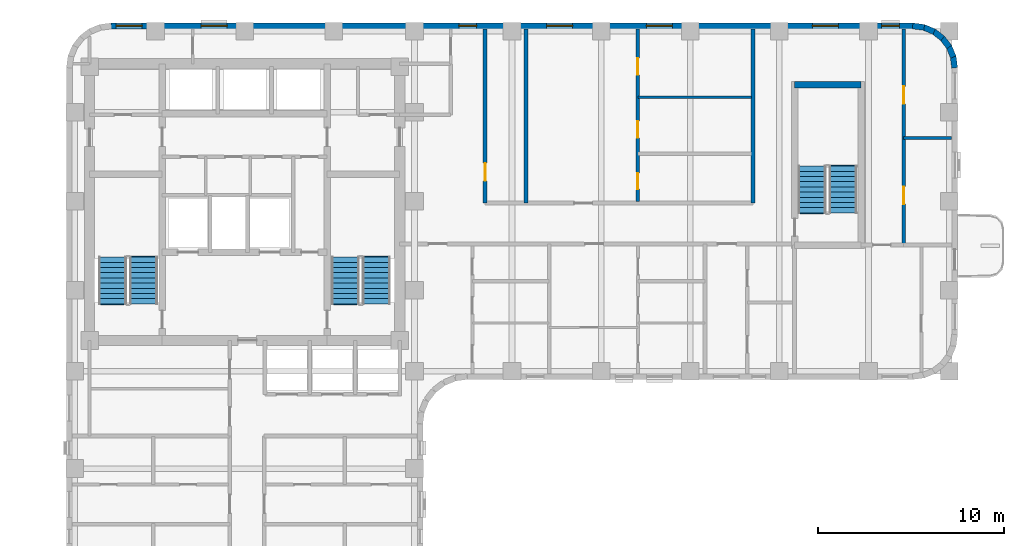
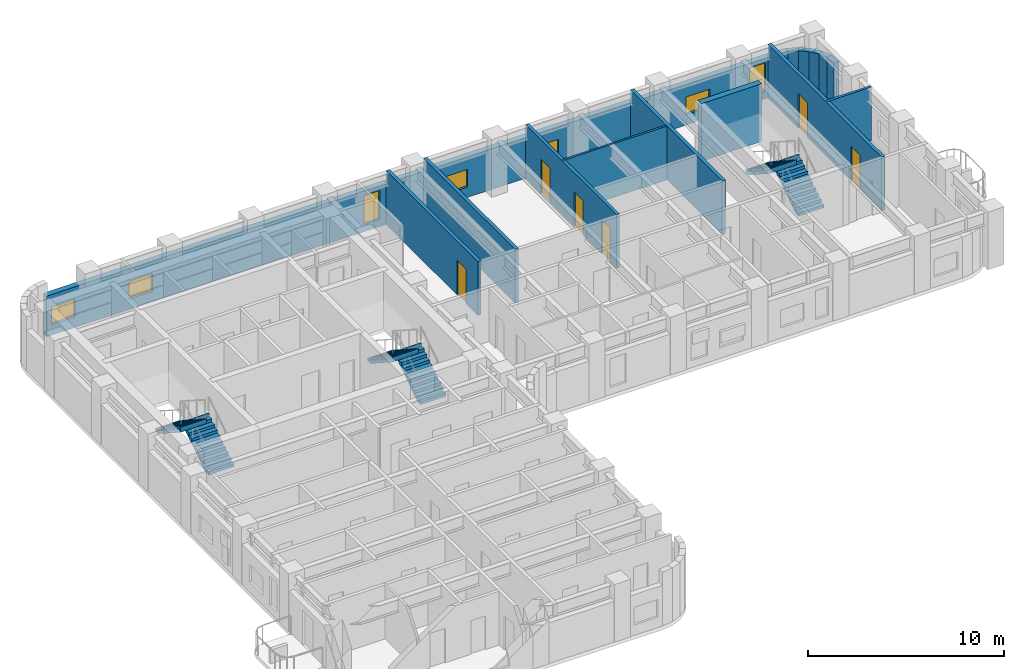
# One storey, part 7 of 10: 15 walls, 7 windows, 6 doors, 6 stair flights, 13 openings, 3 elements without a shape of their own.
"""IFC4 building model written with IfcOpenShell, lengths in metres."""

from ifc_helpers import new_model, si_unit, direction, frame, frame_2d, origin, place, context, subcontext, project, spatial, polyline, rectangle, outline, extrude, material, layer, layer_set, type_object, element, fill, aggregate, save


model = new_model("IFC4")

# Units and contexts
model_context = context("Model", 3, precision=1e-05, world=origin(), true_north=direction((0.0, 1.0)))
body_context = subcontext(model_context, "Body", "Model", "MODEL_VIEW")
ifc_project = project(units=[si_unit("LENGTHUNIT", "METRE"), si_unit("AREAUNIT", "SQUARE_METRE"), si_unit("VOLUMEUNIT", "CUBIC_METRE"), si_unit("PLANEANGLEUNIT", "RADIAN"), si_unit("MASSUNIT", "GRAM", prefix="KILO")], contexts=[model_context])

# Site, building, storey
site_placement = place(None, origin())
site = spatial("IfcSite", under=ifc_project, at=site_placement, CompositionType="ELEMENT")
building_placement = place(site_placement, origin())
building = spatial("IfcBuilding", under=site, at=building_placement, Name="Orvandelia Arch Residences", CompositionType="ELEMENT")
storey_placement = place(building_placement, frame((0.0, 0.0, 118.0)))
storey = spatial("IfcBuildingStorey", under=building, at=storey_placement, Name="L30", CompositionType="ELEMENT", Elevation=118.0)

# Wall
ifc_material_1 = material(Name="Concrete C50/60", Category="concrete")
ifc_layer_1 = layer(ifc_material_1, 0.35009765625, Name="Concrete C50/60", Category="concrete")
ifc_layer_set_1 = layer_set([ifc_layer_1], Name="Concrete C50/60")
wall_type_1 = type_object("IfcWallType", Name="WL-CORE-350", PredefinedType="SHEAR", material=ifc_layer_set_1)
wall_1_placement = place(storey_placement, frame((44.02001953125, 44.659912109375, 0.0), z_axis=(0.0, 0.0, 1.0), x_axis=(1.0, 0.0, 0.0)))
element("IfcWall", 1, at=wall_1_placement, inside=storey, type_object=wall_type_1, Name="East Stair Core Shear Wall L30-N", PredefinedType="SHEAR", context=body_context, shape_type="SweptSolid", body=[
    extrude(rectangle(XDim=3.580078125, YDim=0.35009765625, at=frame_2d((1.7900390625, 0.0))), origin(), (0.0, 0.0, 1.0), 3.60009765625),
])

# Wall, opening, door
ifc_material_2 = material(Name="Fire-Rated Corridor Partition")
ifc_layer_2 = layer(ifc_material_2, 0.199951171875, Name="Fire-Rated Corridor Partition")
ifc_layer_set_2 = layer_set([ifc_layer_2], Name="Fire-Rated Corridor Partition")
wall_type_2 = type_object("IfcWallType", Name="WL-CORR-200", PredefinedType="PARTITIONING", material=ifc_layer_set_2)
wall_2_placement = place(storey_placement, frame((27.35009765625, 38.300048828125, 0.0), z_axis=(0.0, 0.0, 1.0), x_axis=(0.0, 1.0, 0.0)))
wall_2 = element("IfcWall", 2, at=wall_2_placement, inside=storey, type_object=wall_type_2, Name="Interior Partition Wall WL-L30-EM-NCE", PredefinedType="PARTITIONING", context=body_context, shape_type="SweptSolid", body=[
    extrude(rectangle(XDim=9.3798828125, YDim=0.199951171875, at=frame_2d((4.68994140625, 0.0))), origin(), (0.0, 0.0, 1.0), 3.360107421875),
])
opening_1_placement = place(wall_2_placement, frame((1.199951171875, 0.0, 0.0)))
opening_1 = element("IfcOpeningElement", 3, at=opening_1_placement, cuts=wall_2, Name="Opening D2", PredefinedType="OPENING", context=body_context, shape_type="SweptSolid", body=[
    extrude(rectangle(XDim=0.949951171875, YDim=2.14990234375, at=frame_2d((0.47509765625, 1.074951171875))), frame((0.0, 0.10986328125, 0.0), z_axis=(0.0, -1.0, 0.0), x_axis=(1.0, 0.0, 0.0)), (0.0, 0.0, 1.0), 0.219970703125),
])
ifc_material_3 = material(Name="Solid-Core Timber Interior Fire Door", Category="wood")
door_type_1 = type_object("IfcDoorType", Name="DR-APT-950", OperationType="NOTDEFINED", PredefinedType="DOOR", material=ifc_material_3)
door_1_placement = place(opening_1_placement, origin())
door_1 = element("IfcDoor", 4, at=door_1_placement, inside=storey, type_object=door_type_1, Name="DR-L30-LDY", OperationType="SINGLE_SWING_RIGHT", OverallHeight=2.14990234375, OverallWidth=0.949951171875, PredefinedType="DOOR", context=body_context, shape_type="SweptSolid", body=[
    extrude(rectangle(XDim=0.949951171875, YDim=2.14990234375, at=frame_2d((0.47509765625, 1.074951171875))), frame((0.0, 0.02490234375, 0.0), z_axis=(0.0, -1.0, 0.0), x_axis=(1.0, 0.0, 0.0)), (0.0, 0.0, 1.0), 0.050048828125),
])
fill(opening_1, door_1)

# Wall
wall_3_placement = place(storey_placement, frame((41.780029296875, 38.300048828125, 0.0), z_axis=(0.0, 0.0, 1.0), x_axis=(0.0, 1.0, 0.0)))
element("IfcWall", 5, at=wall_3_placement, inside=storey, type_object=wall_type_2, Name="Interior Partition Wall WL-L30-ETV-W", PredefinedType="PARTITIONING", context=body_context, shape_type="SweptSolid", body=[
    extrude(rectangle(XDim=9.3798828125, YDim=0.199951171875, at=frame_2d((4.68994140625, 0.0))), origin(), (0.0, 0.0, 1.0), 3.360107421875),
])

# Wall, openings, doors
wall_4_placement = place(storey_placement, frame((49.89990234375, 36.0400390625, 0.0), z_axis=(0.0, 0.0, 1.0), x_axis=(0.0, 1.0, 0.0)))
wall_4 = element("IfcWall", 6, at=wall_4_placement, inside=storey, type_object=wall_type_2, Name="Interior Partition Wall WL-L30-ETE-E", PredefinedType="PARTITIONING", context=body_context, shape_type="SweptSolid", body=[
    extrude(rectangle(XDim=11.639892578125, YDim=0.199951171875, at=frame_2d((5.81982421875, 0.0))), origin(), (0.0, 0.0, 1.0), 3.360107421875),
])
opening_2_placement = place(wall_4_placement, frame((2.199951171875, 0.0, 0.0)))
opening_2 = element("IfcOpeningElement", 7, at=opening_2_placement, cuts=wall_4, Name="Opening D2", PredefinedType="OPENING", context=body_context, shape_type="SweptSolid", body=[
    extrude(rectangle(XDim=0.949951171875, YDim=2.14990234375, at=frame_2d((0.47509765625, 1.074951171875))), frame((0.0, 0.10986328125, 0.0), z_axis=(0.0, -1.0, 0.0), x_axis=(1.0, 0.0, 0.0)), (0.0, 0.0, 1.0), 0.219970703125),
])
opening_3_placement = place(wall_4_placement, frame((7.60009765625, 0.0, 0.0)))
opening_3 = element("IfcOpeningElement", 8, at=opening_3_placement, cuts=wall_4, Name="Opening D2", PredefinedType="OPENING", context=body_context, shape_type="SweptSolid", body=[
    extrude(rectangle(XDim=0.949951171875, YDim=2.14990234375, at=frame_2d((0.47509765625, 1.074951171875))), frame((0.0, 0.10986328125, 0.0), z_axis=(0.0, -1.0, 0.0), x_axis=(1.0, 0.0, 0.0)), (0.0, 0.0, 1.0), 0.219970703125),
])
door_2_placement = place(opening_2_placement, origin())
door_2 = element("IfcDoor", 9, at=door_2_placement, inside=storey, type_object=door_type_1, Name="DR-L30-EMTP1", OperationType="SINGLE_SWING_LEFT", OverallHeight=2.14990234375, OverallWidth=0.949951171875, PredefinedType="DOOR", context=body_context, shape_type="SweptSolid", body=[
    extrude(rectangle(XDim=0.949951171875, YDim=2.14990234375, at=frame_2d((0.47509765625, 1.074951171875))), frame((0.0, 0.02490234375, 0.0), z_axis=(0.0, -1.0, 0.0), x_axis=(1.0, 0.0, 0.0)), (0.0, 0.0, 1.0), 0.050048828125),
])
fill(opening_2, door_2)
door_3_placement = place(opening_3_placement, origin())
door_3 = element("IfcDoor", 10, at=door_3_placement, inside=storey, type_object=door_type_1, Name="DR-L30-EMTP2", OperationType="SINGLE_SWING_RIGHT", OverallHeight=2.14990234375, OverallWidth=0.949951171875, PredefinedType="DOOR", context=body_context, shape_type="SweptSolid", body=[
    extrude(rectangle(XDim=0.949951171875, YDim=2.14990234375, at=frame_2d((0.47509765625, 1.074951171875))), frame((0.0, 0.02490234375, 0.0), z_axis=(0.0, -1.0, 0.0), x_axis=(1.0, 0.0, 0.0)), (0.0, 0.0, 1.0), 0.050048828125),
])
fill(opening_3, door_3)

# Wall
ifc_material_4 = material(Name="Concrete C40/50", Category="concrete")
ifc_layer_3 = layer(ifc_material_4, 0.199951171875, Name="Concrete C40/50", Category="concrete")
ifc_layer_set_3 = layer_set([ifc_layer_3], Name="Concrete C40/50")
wall_type_3 = type_object("IfcWallType", Name="WL-DEM-200", PredefinedType="SOLIDWALL", material=ifc_layer_set_3)
wall_5_placement = place(storey_placement, frame((29.550048828125, 38.300048828125, 0.0), z_axis=(0.0, 0.0, 1.0), x_axis=(0.0, 1.0, 0.0)))
element("IfcWall", 11, at=wall_5_placement, inside=storey, type_object=wall_type_3, Name="Interior Partition Wall WL-L30-EM-LDE", PredefinedType="SOLIDWALL", context=body_context, shape_type="SweptSolid", body=[
    extrude(rectangle(XDim=9.3798828125, YDim=0.199951171875, at=frame_2d((4.68994140625, 0.0))), origin(), (0.0, 0.0, 1.0), 3.360107421875),
])

# Wall, openings, windows
ifc_material_5 = material(Name="Precast concrete C40/50", Category="concrete")
ifc_layer_4 = layer(ifc_material_5, 0.320068359375, Name="Precast concrete C40/50", Category="concrete")
ifc_layer_set_4 = layer_set([ifc_layer_4], Name="Precast concrete C40/50")
wall_type_4 = type_object("IfcWallType", Name="WL-EXT-STONE-320", PredefinedType="STANDARD", material=ifc_layer_set_4)
wall_6_placement = place(storey_placement, frame((7.199951171875, 47.840087890625, 0.0), z_axis=(0.0, 0.0, 1.0), x_axis=(1.0, 0.0, 0.0)))
wall_6 = element("IfcWall", 12, at=wall_6_placement, inside=storey, type_object=wall_type_4, Name="Coral-Limestone Precast Facade Wall L30-007", PredefinedType="STANDARD", context=body_context, shape_type="SweptSolid", body=[
    extrude(rectangle(XDim=43.199951171875, YDim=0.320068359375, at=frame_2d((21.60009765625, 0.0))), origin(), (0.0, 0.0, 1.0), 2.5400390625),
])
opening_4_placement = place(wall_6_placement, frame((28.841064453125, 0.0, 0.64990234375)))
opening_4 = element("IfcOpeningElement", 13, at=opening_4_placement, cuts=wall_6, Name="Opening W10", PredefinedType="OPENING", context=body_context, shape_type="SweptSolid", body=[
    extrude(rectangle(XDim=1.39990234375, YDim=1.10009765625, at=frame_2d((0.699951171875, 0.550048828125))), frame((0.0, 0.169921875, 0.0), z_axis=(0.0, -1.0, 0.0), x_axis=(1.0, 0.0, 0.0)), (0.0, 0.0, 1.0), 0.340087890625),
])
opening_5_placement = place(wall_6_placement, frame((18.739990234375, 0.0, 0.449951171875)))
opening_5 = element("IfcOpeningElement", 14, at=opening_5_placement, cuts=wall_6, Name="Opening W4", PredefinedType="OPENING", context=body_context, shape_type="SweptSolid", body=[
    extrude(rectangle(XDim=0.949951171875, YDim=1.800048828125, at=frame_2d((0.47509765625, 0.89990234375))), frame((0.0, 0.169921875, 0.0), z_axis=(0.0, -1.0, 0.0), x_axis=(1.0, 0.0, 0.0)), (0.0, 0.0, 1.0), 0.340087890625),
])
opening_6_placement = place(wall_6_placement, frame((41.512451171875, 0.0, 0.449951171875)))
opening_6 = element("IfcOpeningElement", 15, at=opening_6_placement, cuts=wall_6, Name="Opening W4", PredefinedType="OPENING", context=body_context, shape_type="SweptSolid", body=[
    extrude(rectangle(XDim=0.949951171875, YDim=1.800048828125, at=frame_2d((0.47509765625, 0.89990234375))), frame((0.0, 0.169921875, 0.0), z_axis=(0.0, -1.0, 0.0), x_axis=(1.0, 0.0, 0.0)), (0.0, 0.0, 1.0), 0.340087890625),
])
opening_7_placement = place(wall_6_placement, frame((37.7734375, 0.0, 0.64990234375)))
opening_7 = element("IfcOpeningElement", 16, at=opening_7_placement, cuts=wall_6, Name="Opening W10", PredefinedType="OPENING", context=body_context, shape_type="SweptSolid", body=[
    extrude(rectangle(XDim=1.39990234375, YDim=1.10009765625, at=frame_2d((0.699951171875, 0.550048828125))), frame((0.0, 0.169921875, 0.0), z_axis=(0.0, -1.0, 0.0), x_axis=(1.0, 0.0, 0.0)), (0.0, 0.0, 1.0), 0.340087890625),
])
opening_8_placement = place(wall_6_placement, frame((0.282470703125, 0.0, 0.64990234375)))
opening_8 = element("IfcOpeningElement", 17, at=opening_8_placement, cuts=wall_6, Name="Opening W10", PredefinedType="OPENING", context=body_context, shape_type="SweptSolid", body=[
    extrude(rectangle(XDim=1.39990234375, YDim=1.10009765625, at=frame_2d((0.699951171875, 0.550048828125))), frame((0.0, 0.169921875, 0.0), z_axis=(0.0, -1.0, 0.0), x_axis=(1.0, 0.0, 0.0)), (0.0, 0.0, 1.0), 0.340087890625),
])
opening_9_placement = place(wall_6_placement, frame((4.8525390625, 0.0, 0.64990234375)))
opening_9 = element("IfcOpeningElement", 18, at=opening_9_placement, cuts=wall_6, Name="Opening W10", PredefinedType="OPENING", context=body_context, shape_type="SweptSolid", body=[
    extrude(rectangle(XDim=1.39990234375, YDim=1.10009765625, at=frame_2d((0.699951171875, 0.550048828125))), frame((0.0, 0.169921875, 0.0), z_axis=(0.0, -1.0, 0.0), x_axis=(1.0, 0.0, 0.0)), (0.0, 0.0, 1.0), 0.340087890625),
])
opening_10_placement = place(wall_6_placement, frame((23.467529296875, 0.0, 0.64990234375)))
opening_10 = element("IfcOpeningElement", 19, at=opening_10_placement, cuts=wall_6, Name="Opening W10", PredefinedType="OPENING", context=body_context, shape_type="SweptSolid", body=[
    extrude(rectangle(XDim=1.39990234375, YDim=1.10009765625, at=frame_2d((0.699951171875, 0.550048828125))), frame((0.0, 0.169921875, 0.0), z_axis=(0.0, -1.0, 0.0), x_axis=(1.0, 0.0, 0.0)), (0.0, 0.0, 1.0), 0.340087890625),
])
ifc_material_6 = material(Name="Tempered Low-E Insulated Glazing", Category="glass")
window_type_1 = type_object("IfcWindowType", Name="WIN-CLR-1400x1100", PartitioningType="SINGLE_PANEL", PredefinedType="WINDOW", material=ifc_material_6)
window_1_placement = place(opening_4_placement, origin())
window_1 = element("IfcWindow", 20, at=window_1_placement, inside=storey, type_object=window_type_1, Name="Recessed Punched Window L30-001", OverallHeight=1.10009765625, OverallWidth=1.39990234375, PartitioningType="SINGLE_PANEL", PredefinedType="WINDOW", context=body_context, shape_type="SweptSolid", body=[
    extrude(rectangle(XDim=1.39990234375, YDim=1.10009765625, at=frame_2d((0.699951171875, 0.550048828125))), frame((0.0, 0.030029296875, 0.0), z_axis=(0.0, -1.0, 0.0), x_axis=(1.0, 0.0, 0.0)), (0.0, 0.0, 1.0), 0.06005859375),
])
fill(opening_4, window_1)
window_2_placement = place(opening_7_placement, origin())
window_2 = element("IfcWindow", 21, at=window_2_placement, inside=storey, type_object=window_type_1, Name="Recessed Punched Window L30-004", OverallHeight=1.10009765625, OverallWidth=1.39990234375, PartitioningType="SINGLE_PANEL", PredefinedType="WINDOW", context=body_context, shape_type="SweptSolid", body=[
    extrude(rectangle(XDim=1.39990234375, YDim=1.10009765625, at=frame_2d((0.699951171875, 0.550048828125))), frame((0.0, 0.030029296875, 0.0), z_axis=(0.0, -1.0, 0.0), x_axis=(1.0, 0.0, 0.0)), (0.0, 0.0, 1.0), 0.06005859375),
])
fill(opening_7, window_2)
window_3_placement = place(opening_8_placement, origin())
window_3 = element("IfcWindow", 22, at=window_3_placement, inside=storey, type_object=window_type_1, Name="Recessed Punched Window L30-005", OverallHeight=1.10009765625, OverallWidth=1.39990234375, PartitioningType="SINGLE_PANEL", PredefinedType="WINDOW", context=body_context, shape_type="SweptSolid", body=[
    extrude(rectangle(XDim=1.39990234375, YDim=1.10009765625, at=frame_2d((0.699951171875, 0.550048828125))), frame((0.0, 0.030029296875, 0.0), z_axis=(0.0, -1.0, 0.0), x_axis=(1.0, 0.0, 0.0)), (0.0, 0.0, 1.0), 0.06005859375),
])
fill(opening_8, window_3)
window_4_placement = place(opening_9_placement, origin())
window_4 = element("IfcWindow", 23, at=window_4_placement, inside=storey, type_object=window_type_1, Name="Recessed Punched Window L30-006", OverallHeight=1.10009765625, OverallWidth=1.39990234375, PartitioningType="SINGLE_PANEL", PredefinedType="WINDOW", context=body_context, shape_type="SweptSolid", body=[
    extrude(rectangle(XDim=1.39990234375, YDim=1.10009765625, at=frame_2d((0.699951171875, 0.550048828125))), frame((0.0, 0.030029296875, 0.0), z_axis=(0.0, -1.0, 0.0), x_axis=(1.0, 0.0, 0.0)), (0.0, 0.0, 1.0), 0.06005859375),
])
fill(opening_9, window_4)
window_5_placement = place(opening_10_placement, origin())
window_5 = element("IfcWindow", 24, at=window_5_placement, inside=storey, type_object=window_type_1, Name="Recessed Punched Window L30-007", OverallHeight=1.10009765625, OverallWidth=1.39990234375, PartitioningType="SINGLE_PANEL", PredefinedType="WINDOW", context=body_context, shape_type="SweptSolid", body=[
    extrude(rectangle(XDim=1.39990234375, YDim=1.10009765625, at=frame_2d((0.699951171875, 0.550048828125))), frame((0.0, 0.030029296875, 0.0), z_axis=(0.0, -1.0, 0.0), x_axis=(1.0, 0.0, 0.0)), (0.0, 0.0, 1.0), 0.06005859375),
])
fill(opening_10, window_5)
window_type_2 = type_object("IfcWindowType", Name="WIN-RES-0950x1800", PartitioningType="SINGLE_PANEL", PredefinedType="WINDOW", material=ifc_material_6)
window_6_placement = place(opening_5_placement, origin())
window_6 = element("IfcWindow", 25, at=window_6_placement, inside=storey, type_object=window_type_2, Name="Recessed Punched Window L30-002", OverallHeight=1.800048828125, OverallWidth=0.949951171875, PartitioningType="SINGLE_PANEL", PredefinedType="WINDOW", context=body_context, shape_type="SweptSolid", body=[
    extrude(rectangle(XDim=0.949951171875, YDim=1.800048828125, at=frame_2d((0.47509765625, 0.89990234375))), frame((0.0, 0.030029296875, 0.0), z_axis=(0.0, -1.0, 0.0), x_axis=(1.0, 0.0, 0.0)), (0.0, 0.0, 1.0), 0.06005859375),
])
fill(opening_5, window_6)
window_7_placement = place(opening_6_placement, origin())
window_7 = element("IfcWindow", 26, at=window_7_placement, inside=storey, type_object=window_type_2, Name="Recessed Punched Window L30-003", OverallHeight=1.800048828125, OverallWidth=0.949951171875, PartitioningType="SINGLE_PANEL", PredefinedType="WINDOW", context=body_context, shape_type="SweptSolid", body=[
    extrude(rectangle(XDim=0.949951171875, YDim=1.800048828125, at=frame_2d((0.47509765625, 0.89990234375))), frame((0.0, 0.030029296875, 0.0), z_axis=(0.0, -1.0, 0.0), x_axis=(1.0, 0.0, 0.0)), (0.0, 0.0, 1.0), 0.06005859375),
])
fill(opening_6, window_7)

# Walls
for number, where, z_axis, x_axis, name in (
    (27, (50.379150390625, 47.84130859375, 0.0), (0.0, 0.0, 1.0), (0.9914410257, -0.130555323746, 0.0), "Coral-Limestone Precast Facade Wall L30-008"),
    (28, (50.9599609375, 47.7705078125, 0.0), (0.0, 0.0, 1.0), (0.92389335771, -0.382650053678, 0.0), "Coral-Limestone Precast Facade Wall L30-009"),
    (29, (51.502685546875, 47.551513671875, 0.0), (0.0, 0.0, 1.0), (0.793405610854, -0.608693302629, 0.0), "Coral-Limestone Precast Facade Wall L30-010"),
    (30, (51.97021484375, 47.19970703125, 0.0), (0.0, 0.0, 1.0), (0.608693302629, -0.793405610854, 0.0), "Coral-Limestone Precast Facade Wall L30-011"),
    (31, (52.330810546875, 46.73876953125, 0.0), (0.0, 0.0, 1.0), (0.382317370307, -0.924031075431, 0.0), "Coral-Limestone Precast Facade Wall L30-012"),
    (32, (52.5595703125, 46.2001953125, 0.0), (0.0, 0.0, 1.0), (0.130555323746, -0.9914410257, 0.0), "Coral-Limestone Precast Facade Wall L30-013"),
):
    element("IfcWall", number, at=place(storey_placement, frame(where, z_axis=z_axis, x_axis=x_axis)), inside=storey, type_object=wall_type_4, Name=name, PredefinedType="STANDARD", context=body_context, shape_type="SweptSolid", body=[
        extrude(rectangle(XDim=0.62646484375, YDim=0.320068359375, at=frame_2d((0.313232421875, 0.0))), origin(), (0.0, 0.0, 1.0), 2.5400390625),
    ])
ifc_material_7 = material(Name="Lightweight Gypsum Stud Partition")
ifc_layer_5 = layer(ifc_material_7, 0.1201171875, Name="Lightweight Gypsum Stud Partition")
ifc_layer_set_5 = layer_set([ifc_layer_5], Name="Lightweight Gypsum Stud Partition")
wall_type_5 = type_object("IfcWallType", Name="WL-PART-120", PredefinedType="PARTITIONING", material=ifc_layer_set_5)
wall_7_placement = place(storey_placement, frame((35.576904296875, 43.99609375, 0.0), z_axis=(0.0, 0.0, 1.0), x_axis=(1.0, 0.0, 0.0)))
element("IfcWall", 33, at=wall_7_placement, inside=storey, type_object=wall_type_5, Name="Interior Partition Wall WL-L30-U10-H2", PredefinedType="PARTITIONING", context=body_context, shape_type="SweptSolid", body=[
    extrude(rectangle(XDim=6.123046875, YDim=0.1201171875, at=frame_2d((3.0615234375, 0.0))), origin(), (0.0, 0.0, 1.0), 3.360107421875),
])
ifc_material_8 = material(Name="Acoustic Gypsum Stud Partition")
ifc_layer_6 = layer(ifc_material_8, 0.14990234375, Name="Acoustic Gypsum Stud Partition")
ifc_layer_set_6 = layer_set([ifc_layer_6], Name="Acoustic Gypsum Stud Partition")
wall_type_6 = type_object("IfcWallType", Name="WL-PART-150", PredefinedType="PARTITIONING", material=ifc_layer_set_6)
wall_8_placement = place(storey_placement, frame((49.89990234375, 41.800048828125, 0.0), z_axis=(0.0, 0.0, 1.0), x_axis=(1.0, 0.0, 0.0)))
element("IfcWall", 34, at=wall_8_placement, inside=storey, type_object=wall_type_6, Name="Interior Partition Wall WL-L30-EMTIP-M", PredefinedType="PARTITIONING", context=body_context, shape_type="SweptSolid", body=[
    extrude(rectangle(XDim=2.580078125, YDim=0.14990234375, at=frame_2d((1.2900390625, 0.0))), origin(), (0.0, 0.0, 1.0), 3.360107421875),
])

# Wall, openings, doors
ifc_material_9 = material(Name="Moisture-Resistant Plumbing Wall")
ifc_layer_7 = layer(ifc_material_9, 0.179931640625, Name="Moisture-Resistant Plumbing Wall")
ifc_layer_set_7 = layer_set([ifc_layer_7], Name="Moisture-Resistant Plumbing Wall")
wall_type_7 = type_object("IfcWallType", Name="WL-WET-180", PredefinedType="PLUMBINGWALL", material=ifc_layer_set_7)
wall_9_placement = place(storey_placement, frame((35.576904296875, 38.3798828125, 0.0), z_axis=(0.0, 0.0, 1.0), x_axis=(0.0, 1.0, 0.0)))
wall_9 = element("IfcWall", 35, at=wall_9_placement, inside=storey, type_object=wall_type_7, Name="Interior Partition Wall WL-L30-U10-VT", PredefinedType="PLUMBINGWALL", context=body_context, shape_type="SweptSolid", body=[
    extrude(rectangle(XDim=9.300048828125, YDim=0.179931640625, at=frame_2d((4.64990234375, 0.0))), origin(), (0.0, 0.0, 1.0), 3.360107421875),
])
opening_11_placement = place(wall_9_placement, frame((0.66748046875, 0.0, 0.0)))
opening_11 = element("IfcOpeningElement", 36, at=opening_11_placement, cuts=wall_9, Name="Opening D4", PredefinedType="OPENING", context=body_context, shape_type="SweptSolid", body=[
    extrude(rectangle(XDim=0.860107421875, YDim=2.10009765625, at=frame_2d((0.43017578125, 1.050048828125))), frame((0.0, 0.10009765625, 0.0), z_axis=(0.0, -1.0, 0.0), x_axis=(1.0, 0.0, 0.0)), (0.0, 0.0, 1.0), 0.199951171875),
])
opening_12_placement = place(wall_9_placement, frame((3.430419921875, 0.0, 0.0)))
opening_12 = element("IfcOpeningElement", 37, at=opening_12_placement, cuts=wall_9, Name="Opening D3", PredefinedType="OPENING", context=body_context, shape_type="SweptSolid", body=[
    extrude(rectangle(XDim=0.89990234375, YDim=2.14990234375, at=frame_2d((0.449951171875, 1.074951171875))), frame((0.0, 0.10009765625, 0.0), z_axis=(0.0, -1.0, 0.0), x_axis=(1.0, 0.0, 0.0)), (0.0, 0.0, 1.0), 0.199951171875),
])
opening_13_placement = place(wall_9_placement, frame((6.828369140625, 0.0, 0.0)))
opening_13 = element("IfcOpeningElement", 38, at=opening_13_placement, cuts=wall_9, Name="Opening D3", PredefinedType="OPENING", context=body_context, shape_type="SweptSolid", body=[
    extrude(rectangle(XDim=0.89990234375, YDim=2.14990234375, at=frame_2d((0.449951171875, 1.074951171875))), frame((0.0, 0.10009765625, 0.0), z_axis=(0.0, -1.0, 0.0), x_axis=(1.0, 0.0, 0.0)), (0.0, 0.0, 1.0), 0.199951171875),
])
ifc_material_10 = material(Name="Engineered Timber Flush Door", Category="wood")
door_type_2 = type_object("IfcDoorType", Name="DR-INT-900", OperationType="NOTDEFINED", PredefinedType="DOOR", material=ifc_material_10)
door_4_placement = place(opening_12_placement, origin())
door_4 = element("IfcDoor", 39, at=door_4_placement, inside=storey, type_object=door_type_2, Name="DR-L30-U10-KIT", OperationType="SINGLE_SWING_RIGHT", OverallHeight=2.14990234375, OverallWidth=0.89990234375, PredefinedType="DOOR", context=body_context, shape_type="SweptSolid", body=[
    extrude(rectangle(XDim=0.89990234375, YDim=2.14990234375, at=frame_2d((0.449951171875, 1.074951171875))), frame((0.0, 0.02490234375, 0.0), z_axis=(0.0, -1.0, 0.0), x_axis=(1.0, 0.0, 0.0)), (0.0, 0.0, 1.0), 0.050048828125),
])
fill(opening_12, door_4)
door_5_placement = place(opening_13_placement, origin())
door_5 = element("IfcDoor", 40, at=door_5_placement, inside=storey, type_object=door_type_2, Name="DR-L30-U10-BD1", OperationType="SINGLE_SWING_LEFT", OverallHeight=2.14990234375, OverallWidth=0.89990234375, PredefinedType="DOOR", context=body_context, shape_type="SweptSolid", body=[
    extrude(rectangle(XDim=0.89990234375, YDim=2.14990234375, at=frame_2d((0.449951171875, 1.074951171875))), frame((0.0, 0.02490234375, 0.0), z_axis=(0.0, -1.0, 0.0), x_axis=(1.0, 0.0, 0.0)), (0.0, 0.0, 1.0), 0.050048828125),
])
fill(opening_13, door_5)
ifc_material_11 = material(Name="Moisture-Sealed Timber Bathroom Door", Category="wood")
door_type_3 = type_object("IfcDoorType", Name="DR-WET-900", OperationType="NOTDEFINED", PredefinedType="DOOR", material=ifc_material_11)
door_6_placement = place(opening_11_placement, origin())
door_6 = element("IfcDoor", 41, at=door_6_placement, inside=storey, type_object=door_type_3, Name="DR-L30-U10-BTH", OperationType="SINGLE_SWING_LEFT", OverallHeight=2.10009765625, OverallWidth=0.860107421875, PredefinedType="DOOR", context=body_context, shape_type="SweptSolid", body=[
    extrude(rectangle(XDim=0.860107421875, YDim=2.10009765625, at=frame_2d((0.43017578125, 1.050048828125))), frame((0.0, 0.02490234375, 0.0), z_axis=(0.0, -1.0, 0.0), x_axis=(1.0, 0.0, 0.0)), (0.0, 0.0, 1.0), 0.050048828125),
])
fill(opening_11, door_6)

# Stair, stair flights
stair_type = type_object("IfcStairType", Name="STAIR-RC-DOGLEG", PredefinedType="HALF_TURN_STAIR", material=ifc_material_4)
stair_1_placement = place(storey_placement, origin())
stair_1 = element("IfcStair", 42, at=stair_1_placement, inside=storey, type_object=stair_type, Name="L30 Protected Exit Stair ST-1", PredefinedType="HALF_TURN_STAIR")
stair_flight_type = type_object("IfcStairFlightType", Name="STFLT-RC-1520", PredefinedType="STRAIGHT", material=ifc_material_4)
stair_flight_1_placement = place(storey_placement, frame((8.9599609375, 32.8701171875, 0.0), z_axis=(0.0, 0.0, 1.0), x_axis=(0.0, 1.0, 0.0)))
stair_flight_1 = element("IfcStairFlight", 43, at=stair_flight_1_placement, type_object=stair_flight_type, Name="ST-1 flight 1", NumberOfRisers=10, NumberOfTreads=9, PredefinedType="STRAIGHT", RiserHeight=0.18, TreadLength=0.28, context=body_context, shape_type="SweptSolid", body=[
    extrude(outline(polyline([(0.0, 0.0), (0.0, 0.179931640625), (0.280029296875, 0.179931640625), (0.280029296875, 0.360107421875), (0.56005859375, 0.360107421875), (0.56005859375, 0.5400390625), (0.840087890625, 0.5400390625), (0.840087890625, 0.719970703125), (1.1201171875, 0.719970703125), (1.1201171875, 0.89990234375), (1.39990234375, 0.89990234375), (1.39990234375, 1.080078125), (1.679931640625, 1.080078125), (1.679931640625, 1.260009765625), (1.9599609375, 1.260009765625), (1.9599609375, 1.43994140625), (2.239990234375, 1.43994140625), (2.239990234375, 1.6201171875), (2.52001953125, 1.6201171875), (2.52001953125, 1.800048828125), (2.580078125, 1.800048828125), (2.580078125, 1.6201171875), (2.52001953125, 1.44189453125), (0.277099609375, 0.0), (0.0, 0.0)])), frame((0.0, 0.760009765625, 0.0), z_axis=(0.0, -1.0, 0.0), x_axis=(1.0, 0.0, 0.0)), (0.0, 0.0, 1.0), 1.52001953125),
])
stair_flight_2_placement = place(storey_placement, frame((7.2900390625, 35.389892578125, 1.800048828125), z_axis=(0.0, 0.0, 1.0), x_axis=(0.0, -1.0, 0.0)))
stair_flight_2 = element("IfcStairFlight", 44, at=stair_flight_2_placement, type_object=stair_flight_type, Name="ST-1 flight 2", NumberOfRisers=10, NumberOfTreads=9, PredefinedType="STRAIGHT", RiserHeight=0.18, TreadLength=0.28, context=body_context, shape_type="SweptSolid", body=[
    extrude(outline(polyline([(0.0, 0.0), (0.0, 0.179931640625), (0.280029296875, 0.179931640625), (0.280029296875, 0.360107421875), (0.56005859375, 0.360107421875), (0.56005859375, 0.5400390625), (0.840087890625, 0.5400390625), (0.840087890625, 0.719970703125), (1.1201171875, 0.719970703125), (1.1201171875, 0.89990234375), (1.39990234375, 0.89990234375), (1.39990234375, 1.080078125), (1.679931640625, 1.080078125), (1.679931640625, 1.260009765625), (1.9599609375, 1.260009765625), (1.9599609375, 1.43994140625), (2.239990234375, 1.43994140625), (2.239990234375, 1.6201171875), (2.52001953125, 1.6201171875), (2.52001953125, 1.800048828125), (2.580078125, 1.800048828125), (2.580078125, 1.6201171875), (2.52001953125, 1.44189453125), (0.277099609375, 0.0), (0.0, 0.0)])), frame((0.0, 0.760009765625, 0.0), z_axis=(0.0, -1.0, 0.0), x_axis=(1.0, 0.0, 0.0)), (0.0, 0.0, 1.0), 1.52001953125),
])
aggregate(stair_1, [stair_flight_1, stair_flight_2])

stair_2_placement = place(storey_placement, origin())
stair_2 = element("IfcStair", 45, at=stair_2_placement, inside=storey, type_object=stair_type, Name="L30 Protected Exit Stair ST-2", PredefinedType="HALF_TURN_STAIR")
stair_flight_3_placement = place(storey_placement, frame((21.489990234375, 32.8701171875, 0.0), z_axis=(0.0, 0.0, 1.0), x_axis=(0.0, 1.0, 0.0)))
stair_flight_3 = element("IfcStairFlight", 46, at=stair_flight_3_placement, type_object=stair_flight_type, Name="ST-2 flight 1", NumberOfRisers=10, NumberOfTreads=9, PredefinedType="STRAIGHT", RiserHeight=0.18, TreadLength=0.28, context=body_context, shape_type="SweptSolid", body=[
    extrude(outline(polyline([(0.0, 0.0), (0.0, 0.179931640625), (0.280029296875, 0.179931640625), (0.280029296875, 0.360107421875), (0.56005859375, 0.360107421875), (0.56005859375, 0.5400390625), (0.840087890625, 0.5400390625), (0.840087890625, 0.719970703125), (1.1201171875, 0.719970703125), (1.1201171875, 0.89990234375), (1.39990234375, 0.89990234375), (1.39990234375, 1.080078125), (1.679931640625, 1.080078125), (1.679931640625, 1.260009765625), (1.9599609375, 1.260009765625), (1.9599609375, 1.43994140625), (2.239990234375, 1.43994140625), (2.239990234375, 1.6201171875), (2.52001953125, 1.6201171875), (2.52001953125, 1.800048828125), (2.580078125, 1.800048828125), (2.580078125, 1.6201171875), (2.52001953125, 1.44189453125), (0.277099609375, 0.0), (0.0, 0.0)])), frame((0.0, 0.760009765625, 0.0), z_axis=(0.0, -1.0, 0.0), x_axis=(1.0, 0.0, 0.0)), (0.0, 0.0, 1.0), 1.52001953125),
])
stair_flight_4_placement = place(storey_placement, frame((19.820068359375, 35.389892578125, 1.800048828125), z_axis=(0.0, 0.0, 1.0), x_axis=(0.0, -1.0, 0.0)))
stair_flight_4 = element("IfcStairFlight", 47, at=stair_flight_4_placement, type_object=stair_flight_type, Name="ST-2 flight 2", NumberOfRisers=10, NumberOfTreads=9, PredefinedType="STRAIGHT", RiserHeight=0.18, TreadLength=0.28, context=body_context, shape_type="SweptSolid", body=[
    extrude(outline(polyline([(0.0, 0.0), (0.0, 0.179931640625), (0.280029296875, 0.179931640625), (0.280029296875, 0.360107421875), (0.56005859375, 0.360107421875), (0.56005859375, 0.5400390625), (0.840087890625, 0.5400390625), (0.840087890625, 0.719970703125), (1.1201171875, 0.719970703125), (1.1201171875, 0.89990234375), (1.39990234375, 0.89990234375), (1.39990234375, 1.080078125), (1.679931640625, 1.080078125), (1.679931640625, 1.260009765625), (1.9599609375, 1.260009765625), (1.9599609375, 1.43994140625), (2.239990234375, 1.43994140625), (2.239990234375, 1.6201171875), (2.52001953125, 1.6201171875), (2.52001953125, 1.800048828125), (2.580078125, 1.800048828125), (2.580078125, 1.6201171875), (2.52001953125, 1.44189453125), (0.277099609375, 0.0), (0.0, 0.0)])), frame((0.0, 0.760009765625, 0.0), z_axis=(0.0, -1.0, 0.0), x_axis=(1.0, 0.0, 0.0)), (0.0, 0.0, 1.0), 1.52001953125),
])
aggregate(stair_2, [stair_flight_3, stair_flight_4])

stair_3_placement = place(storey_placement, origin())
stair_3 = element("IfcStair", 48, at=stair_3_placement, inside=storey, type_object=stair_type, Name="L30 East Wing Exit Stair ST-3", PredefinedType="HALF_TURN_STAIR")
stair_flight_5_placement = place(storey_placement, frame((46.639892578125, 37.77001953125, 0.0), z_axis=(0.0, 0.0, 1.0), x_axis=(0.0, 1.0, 0.0)))
stair_flight_5 = element("IfcStairFlight", 49, at=stair_flight_5_placement, type_object=stair_flight_type, Name="ST-3 flight 1", NumberOfRisers=10, NumberOfTreads=9, PredefinedType="STRAIGHT", RiserHeight=0.18, TreadLength=0.28, context=body_context, shape_type="SweptSolid", body=[
    extrude(outline(polyline([(0.0, 0.0), (0.0, 0.179931640625), (0.280029296875, 0.179931640625), (0.280029296875, 0.360107421875), (0.56005859375, 0.360107421875), (0.56005859375, 0.5400390625), (0.840087890625, 0.5400390625), (0.840087890625, 0.719970703125), (1.1201171875, 0.719970703125), (1.1201171875, 0.89990234375), (1.39990234375, 0.89990234375), (1.39990234375, 1.080078125), (1.679931640625, 1.080078125), (1.679931640625, 1.260009765625), (1.9599609375, 1.260009765625), (1.9599609375, 1.43994140625), (2.239990234375, 1.43994140625), (2.239990234375, 1.6201171875), (2.52001953125, 1.6201171875), (2.52001953125, 1.800048828125), (2.580078125, 1.800048828125), (2.580078125, 1.6201171875), (2.52001953125, 1.44189453125), (0.277099609375, 0.0), (0.0, 0.0)])), frame((0.0, 0.760009765625, 0.0), z_axis=(0.0, -1.0, 0.0), x_axis=(1.0, 0.0, 0.0)), (0.0, 0.0, 1.0), 1.52001953125),
])
stair_flight_6_placement = place(storey_placement, frame((44.969970703125, 40.2900390625, 1.800048828125), z_axis=(0.0, 0.0, 1.0), x_axis=(0.0, -1.0, 0.0)))
stair_flight_6 = element("IfcStairFlight", 50, at=stair_flight_6_placement, type_object=stair_flight_type, Name="ST-3 flight 2", NumberOfRisers=10, NumberOfTreads=9, PredefinedType="STRAIGHT", RiserHeight=0.18, TreadLength=0.28, context=body_context, shape_type="SweptSolid", body=[
    extrude(outline(polyline([(0.0, 0.0), (0.0, 0.179931640625), (0.280029296875, 0.179931640625), (0.280029296875, 0.360107421875), (0.56005859375, 0.360107421875), (0.56005859375, 0.5400390625), (0.840087890625, 0.5400390625), (0.840087890625, 0.719970703125), (1.1201171875, 0.719970703125), (1.1201171875, 0.89990234375), (1.39990234375, 0.89990234375), (1.39990234375, 1.080078125), (1.679931640625, 1.080078125), (1.679931640625, 1.260009765625), (1.9599609375, 1.260009765625), (1.9599609375, 1.43994140625), (2.239990234375, 1.43994140625), (2.239990234375, 1.6201171875), (2.52001953125, 1.6201171875), (2.52001953125, 1.800048828125), (2.580078125, 1.800048828125), (2.580078125, 1.6201171875), (2.52001953125, 1.44189453125), (0.277099609375, 0.0), (0.0, 0.0)])), frame((0.0, 0.760009765625, 0.0), z_axis=(0.0, -1.0, 0.0), x_axis=(1.0, 0.0, 0.0)), (0.0, 0.0, 1.0), 1.52001953125),
])
aggregate(stair_3, [stair_flight_5, stair_flight_6])

save(model, "model.ifc")
